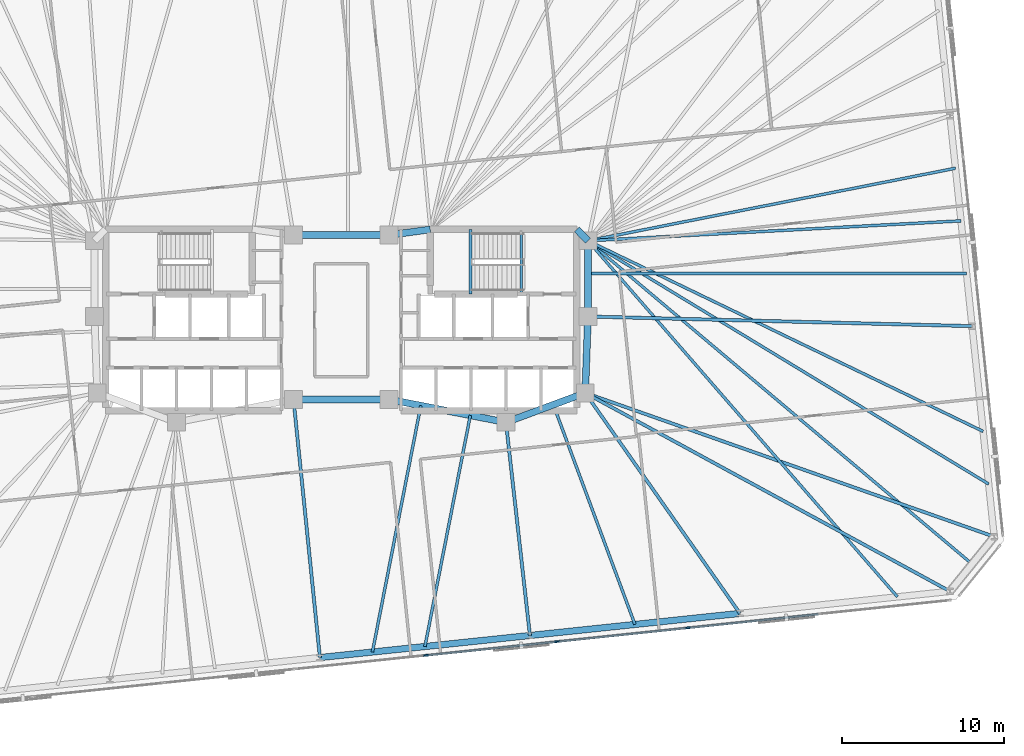
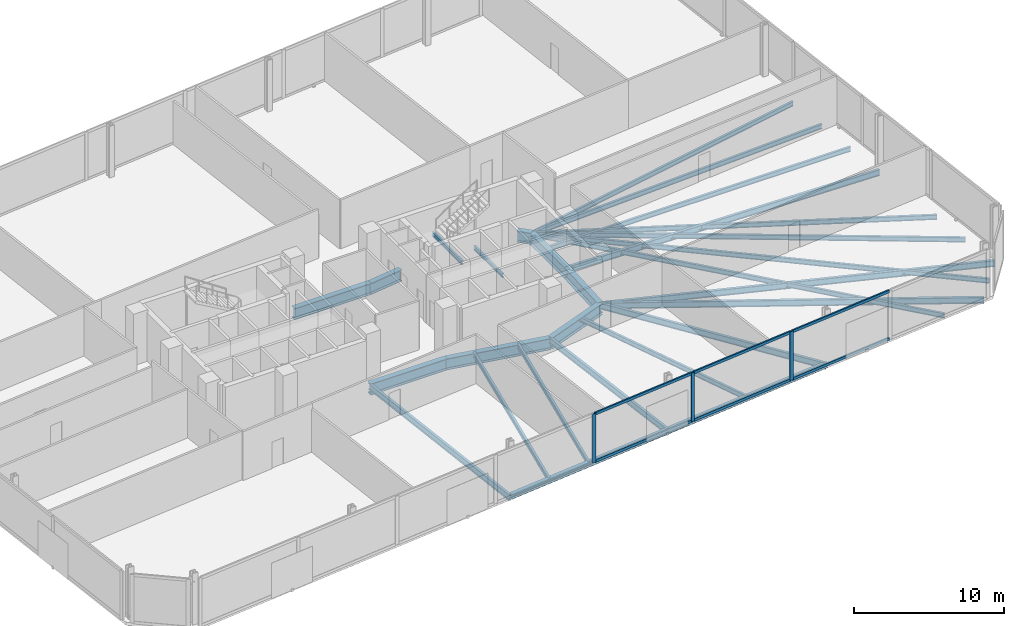
# One storey, part 7 of 16: 28 beams, 9 members, 1 element without a shape of its own.
"""IFC4 building model written with IfcOpenShell, lengths in metres."""

from ifc_helpers import new_model, si_unit, direction, frame, origin, origin_2d, place, context, subcontext, project, spatial, rectangle, i_section, extrude, material, material_profile, profile_set, type_object, element, aggregate, save


model = new_model("IFC4")

# Units and contexts
model_context = context("Model", 3, precision=1e-05, world=origin(), true_north=direction((0.0, 1.0)))
body_context = subcontext(model_context, "Body", "Model", "MODEL_VIEW")
ifc_project = project(units=[si_unit("LENGTHUNIT", "METRE"), si_unit("AREAUNIT", "SQUARE_METRE"), si_unit("VOLUMEUNIT", "CUBIC_METRE"), si_unit("PLANEANGLEUNIT", "RADIAN"), si_unit("MASSUNIT", "GRAM", prefix="KILO")], contexts=[model_context])

# Site, building, storey
site_placement = place(None, origin())
site = spatial("IfcSite", under=ifc_project, at=site_placement, CompositionType="ELEMENT")
building_placement = place(site_placement, origin())
building = spatial("IfcBuilding", under=site, at=building_placement, Name="Menara Jurai Vektor", CompositionType="ELEMENT")
storey_placement = place(building_placement, frame((0.0, 0.0, 83.199951171875)))
storey = spatial("IfcBuildingStorey", under=building, at=storey_placement, Name="L20", CompositionType="ELEMENT", Elevation=83.199951171875)

# Curtain wall, members
ifc_material_1 = material(Name="Anodised Pale Aluminium & Low-E Double Glazing", Category="aluminium")
curtain_wall_type = type_object("IfcCurtainWallType", Name="CW-SKY", PredefinedType="NOTDEFINED", material=ifc_material_1)
curtain_wall_placement = place(storey_placement, origin())
curtain_wall = element("IfcCurtainWall", 1, at=curtain_wall_placement, inside=storey, type_object=curtain_wall_type, Name="Unitised Curtain Wall L20 F01", PredefinedType="NOTDEFINED")
ifc_material_2 = material(Name="Anodised Pale Aluminium Mullion", Category="aluminium")
ifc_material_profile_1 = material_profile(ifc_material_2, rectangle(XDim=0.110107421875, YDim=0.280029296875, at=origin_2d()), Name="ALU MUL 110x280")
ifc_profile_set_1 = profile_set([ifc_material_profile_1], Name="Anodised Pale Aluminium Mullion")
member_type_1 = type_object("IfcMemberType", Name="CW-SKY-MUL", PredefinedType="MULLION", material=ifc_profile_set_1)
member_1_placement = place(storey_placement, frame((5.230224609375, -20.72265625, 0.0), z_axis=(0.0, 0.0, 1.0), x_axis=(-0.104528634935, 0.994521877325, 0.0)))
member_1 = element("IfcMember", 2, at=member_1_placement, type_object=member_type_1, Name="CW-06 mullion 5", PredefinedType="MULLION", context=body_context, shape_type="SweptSolid", body=[
    extrude(rectangle(XDim=0.110107421875, YDim=0.280029296875, at=origin_2d()), origin(), (0.0, 0.0, 1.0), 3.97509765625),
])
member_2_placement = place(storey_placement, frame((13.328125, -19.87158203125, 0.0), z_axis=(0.0, 0.0, 1.0), x_axis=(-0.104528634935, 0.994521877325, 0.0)))
member_2 = element("IfcMember", 3, at=member_2_placement, type_object=member_type_1, Name="CW-06 mullion 6", PredefinedType="MULLION", context=body_context, shape_type="SweptSolid", body=[
    extrude(rectangle(XDim=0.110107421875, YDim=0.280029296875, at=origin_2d()), origin(), (0.0, 0.0, 1.0), 3.97509765625),
])
member_3_placement = place(storey_placement, frame((21.426025390625, -19.020263671875, 0.0), z_axis=(0.0, 0.0, 1.0), x_axis=(-0.104528634935, 0.994521877325, 0.0)))
member_3 = element("IfcMember", 4, at=member_3_placement, type_object=member_type_1, Name="CW-06 mullion 7", PredefinedType="MULLION", context=body_context, shape_type="SweptSolid", body=[
    extrude(rectangle(XDim=0.110107421875, YDim=0.280029296875, at=origin_2d()), origin(), (0.0, 0.0, 1.0), 3.97509765625),
])
ifc_material_3 = material(Name="Anodised Pale Aluminium Transom", Category="aluminium")
ifc_material_profile_2 = material_profile(ifc_material_3, rectangle(XDim=0.110107421875, YDim=0.219970703125, at=origin_2d()), Name="ALU TRN 110x220")
ifc_profile_set_2 = profile_set([ifc_material_profile_2], Name="Anodised Pale Aluminium Transom")
member_type_2 = type_object("IfcMemberType", Name="CW-SKY-TRN", PredefinedType="USERDEFINED", material=ifc_profile_set_2)
member_4_placement = place(storey_placement, frame((5.284912109375, -20.716796875, 0.054931640625), z_axis=(0.994522260875, 0.104524985641, 0.0), x_axis=(-0.104524985641, 0.994522260875, 0.0)))
member_4 = element("IfcMember", 5, at=member_4_placement, type_object=member_type_2, Name="CW-06 transom 5.1", ObjectType="TRANSOM", PredefinedType="USERDEFINED", context=body_context, shape_type="SweptSolid", body=[
    extrude(rectangle(XDim=0.110107421875, YDim=0.219970703125, at=origin_2d()), origin(), (0.0, 0.0, 1.0), 8.032470703125),
])
member_5_placement = place(storey_placement, frame((5.284912109375, -20.716796875, 3.920166015625), z_axis=(0.994522260875, 0.104524985641, 0.0), x_axis=(-0.104524985641, 0.994522260875, 0.0)))
member_5 = element("IfcMember", 6, at=member_5_placement, type_object=member_type_2, Name="CW-06 transom 5.2", ObjectType="TRANSOM", PredefinedType="USERDEFINED", context=body_context, shape_type="SweptSolid", body=[
    extrude(rectangle(XDim=0.110107421875, YDim=0.219970703125, at=origin_2d()), origin(), (0.0, 0.0, 1.0), 8.032470703125),
])
member_6_placement = place(storey_placement, frame((13.3828125, -19.86572265625, 0.054931640625), z_axis=(0.994522260875, 0.104524985641, 0.0), x_axis=(-0.104524985641, 0.994522260875, 0.0)))
member_6 = element("IfcMember", 7, at=member_6_placement, type_object=member_type_2, Name="CW-06 transom 6.1", ObjectType="TRANSOM", PredefinedType="USERDEFINED", context=body_context, shape_type="SweptSolid", body=[
    extrude(rectangle(XDim=0.110107421875, YDim=0.219970703125, at=origin_2d()), origin(), (0.0, 0.0, 1.0), 8.032470703125),
])
member_7_placement = place(storey_placement, frame((13.3828125, -19.86572265625, 3.920166015625), z_axis=(0.994522260875, 0.104524985641, 0.0), x_axis=(-0.104524985641, 0.994522260875, 0.0)))
member_7 = element("IfcMember", 8, at=member_7_placement, type_object=member_type_2, Name="CW-06 transom 6.2", ObjectType="TRANSOM", PredefinedType="USERDEFINED", context=body_context, shape_type="SweptSolid", body=[
    extrude(rectangle(XDim=0.110107421875, YDim=0.219970703125, at=origin_2d()), origin(), (0.0, 0.0, 1.0), 8.032470703125),
])
member_8_placement = place(storey_placement, frame((21.480712890625, -19.0146484375, 0.054931640625), z_axis=(0.994522260875, 0.104524985641, 0.0), x_axis=(-0.104524985641, 0.994522260875, 0.0)))
member_8 = element("IfcMember", 9, at=member_8_placement, type_object=member_type_2, Name="CW-06 transom 7.1", ObjectType="TRANSOM", PredefinedType="USERDEFINED", context=body_context, shape_type="SweptSolid", body=[
    extrude(rectangle(XDim=0.110107421875, YDim=0.219970703125, at=origin_2d()), origin(), (0.0, 0.0, 1.0), 8.032470703125),
])
member_9_placement = place(storey_placement, frame((21.480712890625, -19.0146484375, 3.920166015625), z_axis=(0.994522260875, 0.104524985641, 0.0), x_axis=(-0.104524985641, 0.994522260875, 0.0)))
member_9 = element("IfcMember", 10, at=member_9_placement, type_object=member_type_2, Name="CW-06 transom 7.2", ObjectType="TRANSOM", PredefinedType="USERDEFINED", context=body_context, shape_type="SweptSolid", body=[
    extrude(rectangle(XDim=0.110107421875, YDim=0.219970703125, at=origin_2d()), origin(), (0.0, 0.0, 1.0), 8.032470703125),
])
aggregate(curtain_wall, [member_1, member_2, member_3, member_4, member_5, member_6, member_7, member_8, member_9])

# Beams
ifc_material_4 = material(Name="Steel S355", Category="steel")
ifc_material_profile_3 = material_profile(ifc_material_4, i_section(OverallWidth=0.199951171875, OverallDepth=0.5, WebThickness=0.011962890625, FlangeThickness=0.02001953125, at=origin_2d()), Name="PG 500x200x96")
ifc_profile_set_3 = profile_set([ifc_material_profile_3], Name="Steel S355")
beam_type_1 = type_object("IfcBeamType", Name="STR-BM-500", PredefinedType="BEAM", material=ifc_profile_set_3)
beam_1_placement = place(storey_placement, frame((-1.31689453125, -20.85791015625, -0.5), z_axis=(-0.101802947506, 0.994804583765, 0.0), x_axis=(-0.994804583765, -0.101802947506, 0.0)))
element("IfcBeam", 11, at=beam_1_placement, inside=storey, type_object=beam_type_1, Name="Radial Floor Girder L20-S3", PredefinedType="BEAM", context=body_context, shape_type="SweptSolid", body=[
    extrude(i_section(OverallWidth=0.199951171875, OverallDepth=0.5, WebThickness=0.011962890625, FlangeThickness=0.02001953125, at=origin_2d()), origin(), (0.0, 0.0, 1.0), 16.041259765625),
])
beam_2_placement = place(storey_placement, frame((11.66259765625, -19.493408203125, -0.5), z_axis=(-0.111844331087, 0.99372573963, 0.0), x_axis=(-0.99372573963, -0.111844331087, 0.0)))
element("IfcBeam", 12, at=beam_2_placement, inside=storey, type_object=beam_type_1, Name="Radial Floor Girder L20-S4", PredefinedType="BEAM", context=body_context, shape_type="SweptSolid", body=[
    extrude(i_section(OverallWidth=0.199951171875, OverallDepth=0.5, WebThickness=0.011962890625, FlangeThickness=0.02001953125, at=origin_2d()), origin(), (0.0, 0.0, 1.0), 13.256591796875),
])
beam_3_placement = place(storey_placement, frame((24.64208984375, -18.12939453125, -0.5), z_axis=(-0.574326112611, 0.818626603754, 0.0), x_axis=(-0.818626603754, -0.574326112611, 0.0)))
element("IfcBeam", 13, at=beam_3_placement, inside=storey, type_object=beam_type_1, Name="Radial Floor Girder L20-S5", PredefinedType="BEAM", context=body_context, shape_type="SweptSolid", body=[
    extrude(i_section(OverallWidth=0.199951171875, OverallDepth=0.5, WebThickness=0.011962890625, FlangeThickness=0.02001953125, at=origin_2d()), origin(), (0.0, 0.0, 1.0), 16.649169921875),
])
beam_4_placement = place(storey_placement, frame((37.621826171875, -16.76513671875, -0.5), z_axis=(-0.878392468416, 0.477940029115, 0.0), x_axis=(-0.477940029115, -0.878392468416, 0.0)))
element("IfcBeam", 14, at=beam_4_placement, inside=storey, type_object=beam_type_1, Name="Radial Floor Girder L20-S6", PredefinedType="BEAM", context=body_context, shape_type="SweptSolid", body=[
    extrude(i_section(OverallWidth=0.199951171875, OverallDepth=0.5, WebThickness=0.011962890625, FlangeThickness=0.02001953125, at=origin_2d()), origin(), (0.0, 0.0, 1.0), 25.66259765625),
])
beam_5_placement = place(storey_placement, frame((40.356201171875, -13.388671875, -0.5), z_axis=(-0.943368219745, 0.331747497315, 0.0), x_axis=(-0.331747497315, -0.943368219745, 0.0)))
element("IfcBeam", 15, at=beam_5_placement, inside=storey, type_object=beam_type_1, Name="Radial Floor Girder L20-E1", PredefinedType="BEAM", context=body_context, shape_type="SweptSolid", body=[
    extrude(i_section(OverallWidth=0.199951171875, OverallDepth=0.5, WebThickness=0.011962890625, FlangeThickness=0.02001953125, at=origin_2d()), origin(), (0.0, 0.0, 1.0), 26.79345703125),
])
beam_6_placement = place(storey_placement, frame((38.98828125, -0.375, -0.5), z_axis=(-0.999686051749, 0.02505589629, 0.0), x_axis=(-0.02505589629, -0.999686051749, 0.0)))
element("IfcBeam", 16, at=beam_6_placement, inside=storey, type_object=beam_type_1, Name="Radial Floor Girder L20-E2", PredefinedType="BEAM", context=body_context, shape_type="SweptSolid", body=[
    extrude(i_section(OverallWidth=0.199951171875, OverallDepth=0.5, WebThickness=0.011962890625, FlangeThickness=0.02001953125, at=origin_2d()), origin(), (0.0, 0.0, 1.0), 23.745849609375),
])
ifc_material_5 = material(Name="Steel S460", Category="steel")
ifc_material_profile_4 = material_profile(ifc_material_5, i_section(OverallWidth=0.39697265625, OverallDepth=0.31591796875, WebThickness=0.030029296875, FlangeThickness=0.048095703125, FilletRadius=0.014892578125, at=origin_2d()), Name="HD 400x382")
ifc_profile_set_4 = profile_set([ifc_material_profile_4], Name="Steel S460")
beam_type_2 = type_object("IfcBeamType", Name="STR-BM-CHORD382", PredefinedType="SPANDREL", material=ifc_profile_set_4)
for number, where, z_axis, x_axis, name in (
    (17, (-1.31689453125, -20.85791015625, -0.407958984375), (0.994519486762, 0.104551377088, 0.0), (-0.104551377088, 0.994519486762, 0.0), "Exoskeleton Spandrel Beam L20-03"),
    (18, (11.66259765625, -19.493408203125, -0.407958984375), (0.99452337626, 0.104514372567, 0.0), (-0.104514372567, 0.99452337626, 0.0), "Exoskeleton Spandrel Beam L20-04"),
):
    element("IfcBeam", number, at=place(storey_placement, frame(where, z_axis=z_axis, x_axis=x_axis)), inside=storey, type_object=beam_type_2, Name=name, PredefinedType="SPANDREL", context=body_context, shape_type="SweptSolid", body=[
        extrude(i_section(OverallWidth=0.39697265625, OverallDepth=0.31591796875, WebThickness=0.030029296875, FlangeThickness=0.048095703125, FilletRadius=0.014892578125, at=origin_2d()), origin(), (0.0, 0.0, 1.0), 13.051025390625),
    ])
ifc_material_profile_5 = material_profile(ifc_material_5, i_section(OverallWidth=0.4208984375, OverallDepth=0.9208984375, WebThickness=0.02099609375, FlangeThickness=0.037109375, FilletRadius=0.02392578125, at=origin_2d()), Name="UKB 914x419x388")
ifc_profile_set_5 = profile_set([ifc_material_profile_5], Name="Steel S460")
beam_type_3 = type_object("IfcBeamType", Name="STR-BM-TR914", PredefinedType="BEAM", material=ifc_profile_set_5)
beam_7_placement = place(storey_placement, frame((2.949951171875, 5.25, -0.71044921875), z_axis=(0.990706818608, 0.136014703483, 0.0), x_axis=(-0.136014703483, 0.990706818608, 0.0)))
element("IfcBeam", 19, at=beam_7_placement, inside=storey, type_object=beam_type_3, Name="Core Ring Header Girder L20-CHE-N1", PredefinedType="BEAM", context=body_context, shape_type="SweptSolid", body=[
    extrude(i_section(OverallWidth=0.4208984375, OverallDepth=0.9208984375, WebThickness=0.02099609375, FlangeThickness=0.037109375, FilletRadius=0.02392578125, at=origin_2d()), origin(), (0.0, 0.0, 1.0), 2.573974609375),
])
beam_8_placement = place(storey_placement, frame((14.56005859375, 5.60009765625, -0.71044921875), z_axis=(0.701871936926, -0.712303154672, 0.0), x_axis=(0.712303154672, 0.701871936926, 0.0)))
element("IfcBeam", 20, at=beam_8_placement, inside=storey, type_object=beam_type_3, Name="Core Ring Header Girder L20-CHE-N2", PredefinedType="BEAM", context=body_context, shape_type="SweptSolid", body=[
    extrude(i_section(OverallWidth=0.4208984375, OverallDepth=0.9208984375, WebThickness=0.02099609375, FlangeThickness=0.037109375, FilletRadius=0.02392578125, at=origin_2d()), origin(), (0.0, 0.0, 1.0), 0.98291015625),
])
beam_9_placement = place(storey_placement, frame((15.25, 0.219970703125, -0.71044921875), z_axis=(0.0, 1.0, 0.0), x_axis=(-1.0, 0.0, 0.0)))
element("IfcBeam", 21, at=beam_9_placement, inside=storey, type_object=beam_type_3, Name="Core Ring Header Girder L20-CHE-E1", PredefinedType="BEAM", context=body_context, shape_type="SweptSolid", body=[
    extrude(i_section(OverallWidth=0.4208984375, OverallDepth=0.9208984375, WebThickness=0.02099609375, FlangeThickness=0.037109375, FilletRadius=0.02392578125, at=origin_2d()), origin(), (0.0, 0.0, 1.0), 4.679931640625),
])
beam_10_placement = place(storey_placement, frame((15.080078125, -4.5, -0.71044921875), z_axis=(0.035977314146, 0.999352606874, 0.0), x_axis=(-0.999352606874, 0.035977314146, 0.0)))
element("IfcBeam", 22, at=beam_10_placement, inside=storey, type_object=beam_type_3, Name="Core Ring Header Girder L20-CHE-E2", PredefinedType="BEAM", context=body_context, shape_type="SweptSolid", body=[
    extrude(i_section(OverallWidth=0.4208984375, OverallDepth=0.9208984375, WebThickness=0.02099609375, FlangeThickness=0.037109375, FilletRadius=0.02392578125, at=origin_2d()), origin(), (0.0, 0.0, 1.0), 4.72314453125),
])
beam_11_placement = place(storey_placement, frame((10.179931640625, -6.320068359375, -0.71044921875), z_axis=(0.937424400887, 0.348188874925, 0.0), x_axis=(-0.348188874925, 0.937424400887, 0.0)))
element("IfcBeam", 23, at=beam_11_placement, inside=storey, type_object=beam_type_3, Name="Core Ring Header Girder L20-CHE-S1", PredefinedType="BEAM", context=body_context, shape_type="SweptSolid", body=[
    extrude(i_section(OverallWidth=0.4208984375, OverallDepth=0.9208984375, WebThickness=0.02099609375, FlangeThickness=0.037109375, FilletRadius=0.02392578125, at=origin_2d()), origin(), (0.0, 0.0, 1.0), 5.227294921875),
])
beam_12_placement = place(storey_placement, frame((2.949951171875, -4.89990234375, -0.71044921875), z_axis=(0.981249044334, -0.192744164614, 0.0), x_axis=(0.192744164614, 0.981249044334, 0.0)))
element("IfcBeam", 24, at=beam_12_placement, inside=storey, type_object=beam_type_3, Name="Core Ring Header Girder L20-CHE-S2", PredefinedType="BEAM", context=body_context, shape_type="SweptSolid", body=[
    extrude(i_section(OverallWidth=0.4208984375, OverallDepth=0.9208984375, WebThickness=0.02099609375, FlangeThickness=0.037109375, FilletRadius=0.02392578125, at=origin_2d()), origin(), (0.0, 0.0, 1.0), 7.3681640625),
])
for number, where, z_axis, x_axis, name in (
    (25, (-2.949951171875, -4.89990234375, -0.71044921875), (1.0, 0.0, 0.0), (0.0, 1.0, 0.0), "Core Ring Header Girder L20-CC-1"),
    (26, (-2.949951171875, 5.25, -0.71044921875), (1.0, 0.0, 0.0), (0.0, 1.0, 0.0), "Core Ring Header Girder L20-CC-2"),
):
    element("IfcBeam", number, at=place(storey_placement, frame(where, z_axis=z_axis, x_axis=x_axis)), inside=storey, type_object=beam_type_3, Name=name, PredefinedType="BEAM", context=body_context, shape_type="SweptSolid", body=[
        extrude(i_section(OverallWidth=0.4208984375, OverallDepth=0.9208984375, WebThickness=0.02099609375, FlangeThickness=0.037109375, FilletRadius=0.02392578125, at=origin_2d()), origin(), (0.0, 0.0, 1.0), 5.89990234375),
    ])
ifc_material_profile_6 = material_profile(ifc_material_4, i_section(OverallWidth=0.175048828125, OverallDepth=0.3798828125, WebThickness=0.010009765625, FlangeThickness=0.014892578125, at=origin_2d()), Name="PG 380x175x58")
ifc_profile_set_6 = profile_set([ifc_material_profile_6], Name="Steel S355")
beam_type_4 = type_object("IfcBeamType", Name="STR-JS-380", PredefinedType="JOIST", material=ifc_profile_set_6)
beam_13_placement = place(storey_placement, frame((1.927978515625, -20.5166015625, -0.43994140625), z_axis=(0.192720963177, 0.981253601447, 0.0), x_axis=(-0.981253601447, 0.192720963177, 0.0)))
element("IfcBeam", 27, at=beam_13_placement, inside=storey, type_object=beam_type_4, Name="Radial Secondary Floor Joist L20-JS06", PredefinedType="JOIST", context=body_context, shape_type="SweptSolid", body=[
    extrude(i_section(OverallWidth=0.175048828125, OverallDepth=0.3798828125, WebThickness=0.010009765625, FlangeThickness=0.014892578125, at=origin_2d()), origin(), (0.0, 0.0, 1.0), 15.52099609375),
])
beam_14_placement = place(storey_placement, frame((5.1728515625, -20.175537109375, -0.43994140625), z_axis=(0.192719646422, 0.98125386006, 0.0), x_axis=(-0.98125386006, 0.192719646422, 0.0)))
element("IfcBeam", 28, at=beam_14_placement, inside=storey, type_object=beam_type_4, Name="Radial Secondary Floor Joist L20-JS07", PredefinedType="JOIST", context=body_context, shape_type="SweptSolid", body=[
    extrude(i_section(OverallWidth=0.175048828125, OverallDepth=0.3798828125, WebThickness=0.010009765625, FlangeThickness=0.014892578125, at=origin_2d()), origin(), (0.0, 0.0, 1.0), 14.560791015625),
])
beam_15_placement = place(storey_placement, frame((18.15234375, -18.811279296875, -0.43994140625), z_axis=(-0.348188645432, 0.937424486128, 0.0), x_axis=(-0.937424486128, -0.348188645432, 0.0)))
element("IfcBeam", 29, at=beam_15_placement, inside=storey, type_object=beam_type_4, Name="Radial Secondary Floor Joist L20-JS08", PredefinedType="JOIST", context=body_context, shape_type="SweptSolid", body=[
    extrude(i_section(OverallWidth=0.175048828125, OverallDepth=0.3798828125, WebThickness=0.010009765625, FlangeThickness=0.014892578125, at=origin_2d()), origin(), (0.0, 0.0, 1.0), 14.485595703125),
])
beam_16_placement = place(storey_placement, frame((34.376953125, -17.106201171875, -0.43994140625), z_axis=(-0.656007047389, 0.754754763996, 0.0), x_axis=(-0.754754763996, -0.656007047389, 0.0)))
element("IfcBeam", 30, at=beam_16_placement, inside=storey, type_object=beam_type_4, Name="Radial Secondary Floor Joist L20-JS09", PredefinedType="JOIST", context=body_context, shape_type="SweptSolid", body=[
    extrude(i_section(OverallWidth=0.175048828125, OverallDepth=0.3798828125, WebThickness=0.010009765625, FlangeThickness=0.014892578125, at=origin_2d()), origin(), (0.0, 0.0, 1.0), 29.15673828125),
])
beam_17_placement = place(storey_placement, frame((38.989013671875, -15.076904296875, -0.43994140625), z_axis=(-0.765132553444, 0.643872794627, 0.0), x_axis=(-0.643872794627, -0.765132553444, 0.0)))
element("IfcBeam", 31, at=beam_17_placement, inside=storey, type_object=beam_type_4, Name="Radial Secondary Floor Joist L20-JS10", PredefinedType="JOIST", context=body_context, shape_type="SweptSolid", body=[
    extrude(i_section(OverallWidth=0.175048828125, OverallDepth=0.3798828125, WebThickness=0.010009765625, FlangeThickness=0.014892578125, at=origin_2d()), origin(), (0.0, 0.0, 1.0), 31.026123046875),
])
beam_18_placement = place(storey_placement, frame((40.01416015625, -10.13525390625, -0.43994140625), z_axis=(-0.854790986557, 0.518972416706, 0.0), x_axis=(-0.518972416706, -0.854790986557, 0.0)))
element("IfcBeam", 32, at=beam_18_placement, inside=storey, type_object=beam_type_4, Name="Radial Secondary Floor Joist L20-JS11", PredefinedType="JOIST", context=body_context, shape_type="SweptSolid", body=[
    extrude(i_section(OverallWidth=0.175048828125, OverallDepth=0.3798828125, WebThickness=0.010009765625, FlangeThickness=0.014892578125, at=origin_2d()), origin(), (0.0, 0.0, 1.0), 28.970947265625),
])
beam_19_placement = place(storey_placement, frame((39.672119140625, -6.8818359375, -0.43994140625), z_axis=(-0.90067072624, 0.434502293312, 0.0), x_axis=(-0.434502293312, -0.90067072624, 0.0)))
element("IfcBeam", 33, at=beam_19_placement, inside=storey, type_object=beam_type_4, Name="Radial Secondary Floor Joist L20-JS12", PredefinedType="JOIST", context=body_context, shape_type="SweptSolid", body=[
    extrude(i_section(OverallWidth=0.175048828125, OverallDepth=0.3798828125, WebThickness=0.010009765625, FlangeThickness=0.014892578125, at=origin_2d()), origin(), (0.0, 0.0, 1.0), 27.115478515625),
])
beam_20_placement = place(storey_placement, frame((38.646484375, 2.87841796875, -0.43994140625), z_axis=(-1.0, 0.0, 0.0), x_axis=(0.0, -1.0, 0.0)))
element("IfcBeam", 34, at=beam_20_placement, inside=storey, type_object=beam_type_4, Name="Radial Secondary Floor Joist L20-JS13", PredefinedType="JOIST", context=body_context, shape_type="SweptSolid", body=[
    extrude(i_section(OverallWidth=0.175048828125, OverallDepth=0.3798828125, WebThickness=0.010009765625, FlangeThickness=0.014892578125, at=origin_2d()), origin(), (0.0, 0.0, 1.0), 23.396484375),
])
beam_21_placement = place(storey_placement, frame((38.304443359375, 6.131591796875, -0.43994140625), z_axis=(-0.998575919005, -0.053349170414, 0.0), x_axis=(0.053349170414, -0.998575919005, 0.0)))
element("IfcBeam", 35, at=beam_21_placement, inside=storey, type_object=beam_type_4, Name="Radial Secondary Floor Joist L20-JS14", PredefinedType="JOIST", context=body_context, shape_type="SweptSolid", body=[
    extrude(i_section(OverallWidth=0.175048828125, OverallDepth=0.3798828125, WebThickness=0.010009765625, FlangeThickness=0.014892578125, at=origin_2d()), origin(), (0.0, 0.0, 1.0), 23.08740234375),
])
beam_22_placement = place(storey_placement, frame((37.96240234375, 9.385009765625, -0.43994140625), z_axis=(-0.981054359007, -0.193732662897, 0.0), x_axis=(0.193732662897, -0.981054359007, 0.0)))
element("IfcBeam", 36, at=beam_22_placement, inside=storey, type_object=beam_type_4, Name="Radial Secondary Floor Joist L20-JS15", PredefinedType="JOIST", context=body_context, shape_type="SweptSolid", body=[
    extrude(i_section(OverallWidth=0.175048828125, OverallDepth=0.3798828125, WebThickness=0.010009765625, FlangeThickness=0.014892578125, at=origin_2d()), origin(), (0.0, 0.0, 1.0), 23.151123046875),
])
ifc_material_profile_7 = material_profile(ifc_material_4, i_section(OverallWidth=0.1650390625, OverallDepth=0.302978515625, WebThickness=0.006103515625, FlangeThickness=0.010009765625, FilletRadius=0.009033203125, at=origin_2d()), Name="UKB 305x165x40")
ifc_profile_set_7 = profile_set([ifc_material_profile_7], Name="Steel S355")
beam_type_5 = type_object("IfcBeamType", Name="STR-LN-305", PredefinedType="LINTEL", material=ifc_profile_set_7)
beam_23_placement = place(storey_placement, frame((11.1201171875, 1.60009765625, -0.4013671875), z_axis=(0.0, 1.0, 0.0), x_axis=(-1.0, 0.0, 0.0)))
element("IfcBeam", 37, at=beam_23_placement, inside=storey, type_object=beam_type_5, Name="Stair Well Floor Trimmer ST2 L20", PredefinedType="LINTEL", context=body_context, shape_type="SweptSolid", body=[
    extrude(i_section(OverallWidth=0.1650390625, OverallDepth=0.302978515625, WebThickness=0.006103515625, FlangeThickness=0.010009765625, FilletRadius=0.009033203125, at=origin_2d()), origin(), (0.0, 0.0, 1.0), 3.81982421875),
])
beam_24_placement = place(storey_placement, frame((7.989990234375, 1.60009765625, 1.74853515625), z_axis=(0.0, 1.0, 0.0), x_axis=(-1.0, 0.0, 0.0)))
element("IfcBeam", 38, at=beam_24_placement, inside=storey, type_object=beam_type_5, Name="Stair Half-Landing Nosing Trimmer ST2-1 L20", PredefinedType="LINTEL", context=body_context, shape_type="SweptSolid", body=[
    extrude(i_section(OverallWidth=0.1650390625, OverallDepth=0.302978515625, WebThickness=0.006103515625, FlangeThickness=0.010009765625, FilletRadius=0.009033203125, at=origin_2d()), origin(), (0.0, 0.0, 1.0), 4.0),
])

save(model, "model.ifc")
